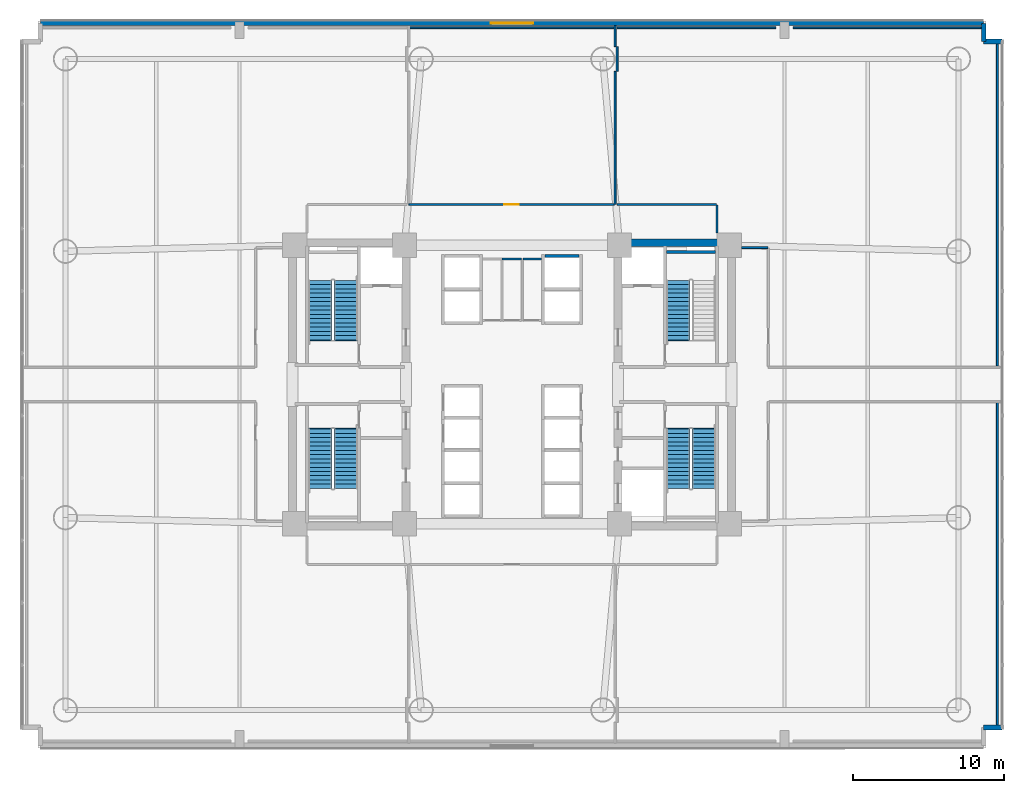
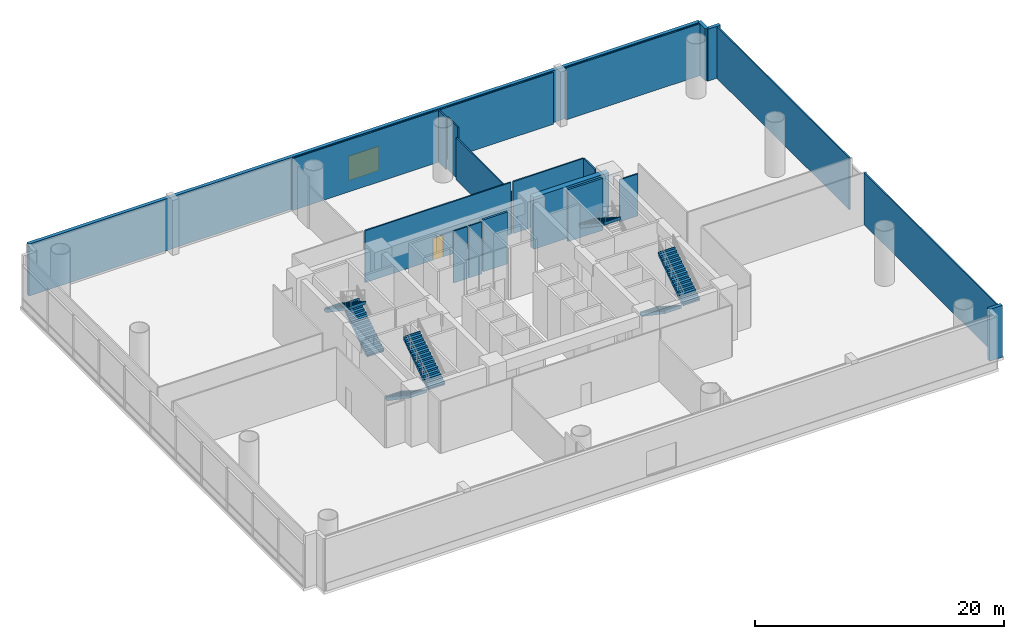
# One storey, part 10 of 15: 21 walls, 7 stair flights, 1 door, 1 window, 2 openings, 4 elements without a shape of their own.
"""IFC4 building model written with IfcOpenShell, lengths in metres."""

from ifc_helpers import new_model, si_unit, direction, frame, frame_2d, origin, place, context, subcontext, project, spatial, polyline, rectangle, outline, extrude, source, transform, mapped, material, layer, layer_set, type_object, element, fill, aggregate, save


model = new_model("IFC4")

# Units and contexts
model_context = context("Model", 3, precision=1e-05, world=origin(), true_north=direction((0.0, 1.0)))
body_context = subcontext(model_context, "Body", "Model", "MODEL_VIEW")
ifc_project = project(units=[si_unit("LENGTHUNIT", "METRE"), si_unit("AREAUNIT", "SQUARE_METRE"), si_unit("VOLUMEUNIT", "CUBIC_METRE"), si_unit("PLANEANGLEUNIT", "RADIAN"), si_unit("MASSUNIT", "GRAM", prefix="KILO")], contexts=[model_context])

# Site, building, storey
site_placement = place(None, origin())
site = spatial("IfcSite", under=ifc_project, at=site_placement, CompositionType="ELEMENT")
building_placement = place(site_placement, origin())
building = spatial("IfcBuilding", under=site, at=building_placement, Name="Zahravan Cultural Tower", CompositionType="ELEMENT")
storey_placement = place(building_placement, frame((0.0, 0.0, 7.199951171875)))
storey = spatial("IfcBuildingStorey", under=building, at=storey_placement, Name="L01", CompositionType="ELEMENT", Elevation=7.199951171875)

# Wall, opening, window
ifc_material_1 = material(Name="Precast concrete C40/50", Category="concrete")
ifc_layer_1 = layer(ifc_material_1, 0.320068359375)
ifc_layer_set_1 = layer_set([ifc_layer_1], Name="Precast concrete C40/50")
wall_type_1 = type_object("IfcWallType", Name="EW-TC-320", PredefinedType="SOLIDWALL", material=ifc_layer_set_1)
wall_1_placement = place(storey_placement, frame((4.840087890625, 50.860107421875, 0.0), z_axis=(0.0, 0.0, 1.0), x_axis=(1.0, 0.0, 0.0)))
wall_1 = element("IfcWall", 1, at=wall_1_placement, inside=storey, type_object=wall_type_1, Name="L01 Exterior Masonry Frame Wall 08", PredefinedType="SOLIDWALL", context=body_context, shape_type="SweptSolid", body=[
    extrude(rectangle(XDim=62.31982421875, YDim=0.320068359375, at=frame_2d((31.159912109375, 0.0))), origin(), (0.0, 0.0, 1.0), 5.10009765625),
])
opening_1_placement = place(wall_1_placement, frame((29.760009765625, 0.0, 0.85009765625)))
opening_1 = element("IfcOpeningElement", 2, at=opening_1_placement, cuts=wall_1, Name="Opening WN-04", PredefinedType="OPENING", context=body_context, shape_type="SweptSolid", body=[
    extrude(rectangle(XDim=2.800048828125, YDim=2.39990234375, at=frame_2d((1.39990234375, 1.199951171875))), frame((0.0, 0.169921875, 0.0), z_axis=(0.0, -1.0, 0.0), x_axis=(1.0, 0.0, 0.0)), (0.0, 0.0, 1.0), 0.340087890625),
])
ifc_material_2 = material(Name="Low-E solar-control double glazing", Category="glass")
window_type = type_object("IfcWindowType", Name="WN-POD-2800X2400", PartitioningType="TRIPLE_PANEL_VERTICAL", PredefinedType="WINDOW", material=ifc_material_2)
shared_shape_1 = source(origin(), body_context, "Body", "SweptSolid", [
    extrude(rectangle(XDim=2.800048828125, YDim=2.39990234375, at=frame_2d((1.39990234375, 1.199951171875))), frame((0.0, 0.030029296875, 0.0), z_axis=(0.0, -1.0, 0.0), x_axis=(1.0, 0.0, 0.0)), (0.0, 0.0, 1.0), 0.06005859375),
])
window_placement = place(opening_1_placement, origin())
window = element("IfcWindow", 3, at=window_placement, inside=storey, type_object=window_type, Name="L01 Recessed Solar Window 02", OverallHeight=2.39990234375, OverallWidth=2.800048828125, PartitioningType="TRIPLE_PANEL_VERTICAL", PredefinedType="WINDOW", context=body_context, shape_type="MappedRepresentation", body=[
    mapped(shared_shape_1, transform((0.0, 0.0, 0.0), x_axis=(1.0, 0.0, 0.0), y_axis=(0.0, 1.0, 0.0), z_axis=(0.0, 0.0, 1.0), scale=1.0)),
])
fill(opening_1, window)

# Wall, opening, door
ifc_material_3 = material(Name="Gypsum plasterboard partition")
ifc_layer_2 = layer(ifc_material_3, 0.125)
ifc_layer_set_2 = layer_set([ifc_layer_2], Name="Gypsum plasterboard partition")
wall_type_2 = type_object("IfcWallType", Name="W-PART-125", PredefinedType="PARTITIONING", material=ifc_layer_set_2)
wall_2_placement = place(storey_placement, frame((42.742431640625, 38.889892578125, 0.0), z_axis=(0.0, 0.0, 1.0), x_axis=(-1.0, 0.0, 0.0)))
wall_2 = element("IfcWall", 4, at=wall_2_placement, inside=storey, type_object=wall_type_2, Name="L01 Interior Wall 083", PredefinedType="PARTITIONING", context=body_context, shape_type="SweptSolid", body=[
    extrude(rectangle(XDim=13.552490234375, YDim=0.125, at=frame_2d((6.7763671875, 0.0))), origin(), (0.0, 0.0, 1.0), 5.10009765625),
])
opening_2_placement = place(wall_2_placement, frame((6.30126953125, 0.0, 0.0)))
opening_2 = element("IfcOpeningElement", 5, at=opening_2_placement, cuts=wall_2, Name="Opening D-L01-19", PredefinedType="OPENING", context=body_context, shape_type="SweptSolid", body=[
    extrude(rectangle(XDim=0.949951171875, YDim=2.14990234375, at=frame_2d((0.47509765625, 1.074951171875))), frame((0.0, 0.072509765625, 0.0), z_axis=(0.0, -1.0, 0.0), x_axis=(1.0, 0.0, 0.0)), (0.0, 0.0, 1.0), 0.14501953125),
])
ifc_material_4 = material(Name="Anodised bronze-aluminium mullion", Category="aluminium")
door_type = type_object("IfcDoorType", Name="DR-ROOM-950", OperationType="NOTDEFINED", PredefinedType="DOOR", material=ifc_material_4)
shared_shape_2 = source(origin(), body_context, "Body", "SweptSolid", [
    extrude(rectangle(XDim=0.949951171875, YDim=2.14990234375, at=frame_2d((0.47509765625, 1.074951171875))), frame((0.0, 0.02490234375, 0.0), z_axis=(0.0, -1.0, 0.0), x_axis=(1.0, 0.0, 0.0)), (0.0, 0.0, 1.0), 0.050048828125),
])
door_placement = place(opening_2_placement, origin())
door = element("IfcDoor", 6, at=door_placement, inside=storey, type_object=door_type, Name="L01 Door D-L01-19", OperationType="SINGLE_SWING_LEFT", OverallHeight=2.14990234375, OverallWidth=0.949951171875, PredefinedType="DOOR", context=body_context, shape_type="MappedRepresentation", body=[
    mapped(shared_shape_2, transform((0.0, 0.0, 0.0), x_axis=(1.0, 0.0, 0.0), y_axis=(0.0, 1.0, 0.0), z_axis=(0.0, 0.0, 1.0), scale=1.0)),
])
fill(opening_2, door)

# Walls
ifc_material_5 = material(Name="Concrete C60/75", Category="concrete")
ifc_layer_3 = layer(ifc_material_5, 0.5)
ifc_layer_set_3 = layer_set([ifc_layer_3], Name="Concrete C60/75")
wall_type_3 = type_object("IfcWallType", Name="CW-SHEAR-500-C60", PredefinedType="SHEAR", material=ifc_layer_set_3)
shared_shape_3 = source(origin(), body_context, "Body", "SweptSolid", [
    extrude(rectangle(XDim=7.0, YDim=0.5, at=frame_2d((3.5, 0.0))), origin(), (0.0, 0.0, 1.0), 5.10009765625),
])
wall_3_placement = place(storey_placement, frame((43.25, 36.35009765625, 0.0), z_axis=(0.0, 0.0, 1.0), x_axis=(1.0, 0.0, 0.0)))
element("IfcWall", 7, at=wall_3_placement, inside=storey, type_object=wall_type_3, Name="L01 Core Shear Wall CW-E-N-L01", PredefinedType="SHEAR", context=body_context, shape_type="MappedRepresentation", body=[
    mapped(shared_shape_3, transform((0.0, 0.0, 0.0), x_axis=(1.0, 0.0, 0.0), y_axis=(0.0, 1.0, 0.0), z_axis=(0.0, 0.0, 1.0), scale=1.0)),
])
shared_shape_4 = source(origin(), body_context, "Body", "SweptSolid", [
    extrude(rectangle(XDim=1.2001953125, YDim=0.320068359375, at=frame_2d((0.60009765625, 0.0))), origin(), (0.0, 0.0, 1.0), 5.10009765625),
])
for number, where, z_axis, x_axis, name in (
    (8, (68.360107421875, 4.340087890625, 0.0), (0.0, 0.0, 1.0), (-1.0, 0.0, 0.0), "L01 Exterior Masonry Frame Wall 01"),
    (9, (67.159912109375, 50.860107421875, 0.0), (0.0, 0.0, 1.0), (0.0, -1.0, 0.0), "L01 Exterior Masonry Frame Wall 09"),
    (10, (67.159912109375, 49.659912109375, 0.0), (0.0, 0.0, 1.0), (1.0, 0.0, 0.0), "L01 Exterior Masonry Frame Wall 10"),
):
    element("IfcWall", number, at=place(storey_placement, frame(where, z_axis=z_axis, x_axis=x_axis)), inside=storey, type_object=wall_type_1, Name=name, PredefinedType="SOLIDWALL", context=body_context, shape_type="MappedRepresentation", body=[
        mapped(shared_shape_4, transform((0.0, 0.0, 0.0), x_axis=(1.0, 0.0, 0.0), y_axis=(0.0, 1.0, 0.0), z_axis=(0.0, 0.0, 1.0), scale=1.0)),
    ])
ifc_material_6 = material(Name="Concrete C45/55", Category="concrete")
ifc_layer_4 = layer(ifc_material_6, 0.199951171875)
ifc_layer_set_4 = layer_set([ifc_layer_4], Name="Concrete C45/55")
wall_type_4 = type_object("IfcWallType", Name="W-SHAFT-200", PredefinedType="SOLIDWALL", material=ifc_layer_set_4)
shared_shape_5 = source(origin(), body_context, "Body", "SweptSolid", [
    extrude(rectangle(XDim=3.25, YDim=0.199951171875, at=frame_2d((1.625, 0.0))), origin(), (0.0, 0.0, 1.0), 5.10009765625),
])
wall_4_placement = place(storey_placement, frame((46.199951171875, 35.75, 0.0), z_axis=(0.0, 0.0, 1.0), x_axis=(1.0, 0.0, 0.0)))
element("IfcWall", 11, at=wall_4_placement, inside=storey, type_object=wall_type_4, Name="L01 Interior Wall 018", PredefinedType="SOLIDWALL", context=body_context, shape_type="MappedRepresentation", body=[
    mapped(shared_shape_5, transform((0.0, 0.0, 0.0), x_axis=(1.0, 0.0, 0.0), y_axis=(0.0, 1.0, 0.0), z_axis=(0.0, 0.0, 1.0), scale=1.0)),
])
shared_shape_6 = source(origin(), body_context, "Body", "SweptSolid", [
    extrude(rectangle(XDim=2.260009765625, YDim=0.199951171875, at=frame_2d((1.1298828125, 0.0))), origin(), (0.0, 0.0, 1.0), 5.10009765625),
])
wall_5_placement = place(storey_placement, frame((38.169921875, 35.5, 0.0), z_axis=(0.0, 0.0, 1.0), x_axis=(1.0, 0.0, 0.0)))
element("IfcWall", 12, at=wall_5_placement, inside=storey, type_object=wall_type_4, Name="L01 Interior Wall 036", PredefinedType="SOLIDWALL", context=body_context, shape_type="MappedRepresentation", body=[
    mapped(shared_shape_6, transform((0.0, 0.0, 0.0), x_axis=(1.0, 0.0, 0.0), y_axis=(0.0, 1.0, 0.0), z_axis=(0.0, 0.0, 1.0), scale=1.0)),
])
ifc_layer_5 = layer(ifc_material_3, 0.114990234375)
ifc_layer_set_5 = layer_set([ifc_layer_5], Name="Gypsum plasterboard partition")
wall_type_5 = type_object("IfcWallType", Name="W-WC-115", PredefinedType="PARTITIONING", material=ifc_layer_set_5)
shared_shape_7 = source(origin(), body_context, "Body", "SweptSolid", [
    extrude(rectangle(XDim=1.20263671875, YDim=0.114990234375, at=frame_2d((0.601318359375, 0.0))), origin(), (0.0, 0.0, 1.0), 5.10009765625),
])
wall_6_placement = place(storey_placement, frame((36.742431640625, 35.280029296875, 0.0), z_axis=(0.0, 0.0, 1.0), x_axis=(1.0, 0.0, 0.0)))
element("IfcWall", 13, at=wall_6_placement, inside=storey, type_object=wall_type_5, Name="L01 Interior Wall 067", PredefinedType="PARTITIONING", context=body_context, shape_type="MappedRepresentation", body=[
    mapped(shared_shape_7, transform((0.0, 0.0, 0.0), x_axis=(1.0, 0.0, 0.0), y_axis=(0.0, 1.0, 0.0), z_axis=(0.0, 0.0, 1.0), scale=1.0)),
])
shared_shape_8 = source(origin(), body_context, "Body", "SweptSolid", [
    extrude(rectangle(XDim=1.27734375, YDim=0.114990234375, at=frame_2d((0.638671875, 0.0))), origin(), (0.0, 0.0, 1.0), 5.10009765625),
])
wall_7_placement = place(storey_placement, frame((35.340087890625, 35.280029296875, 0.0), z_axis=(0.0, 0.0, 1.0), x_axis=(1.0, 0.0, 0.0)))
element("IfcWall", 14, at=wall_7_placement, inside=storey, type_object=wall_type_5, Name="L01 Interior Wall 072", PredefinedType="PARTITIONING", context=body_context, shape_type="MappedRepresentation", body=[
    mapped(shared_shape_8, transform((0.0, 0.0, 0.0), x_axis=(1.0, 0.0, 0.0), y_axis=(0.0, 1.0, 0.0), z_axis=(0.0, 0.0, 1.0), scale=1.0)),
])
shared_shape_9 = source(origin(), body_context, "Body", "SweptSolid", [
    extrude(rectangle(XDim=13.6201171875, YDim=0.125, at=frame_2d((6.81005859375, 0.0))), origin(), (0.0, 0.0, 1.0), 5.10009765625),
])
wall_8_placement = place(storey_placement, frame((29.18994140625, 50.56005859375, 0.0), z_axis=(0.0, 0.0, 1.0), x_axis=(1.0, 0.0, 0.0)))
element("IfcWall", 15, at=wall_8_placement, inside=storey, type_object=wall_type_2, Name="L01 Interior Wall 080", PredefinedType="PARTITIONING", context=body_context, shape_type="MappedRepresentation", body=[
    mapped(shared_shape_9, transform((0.0, 0.0, 0.0), x_axis=(1.0, 0.0, 0.0), y_axis=(0.0, 1.0, 0.0), z_axis=(0.0, 0.0, 1.0), scale=1.0)),
])
shared_shape_10 = source(origin(), body_context, "Body", "SweptSolid", [
    extrude(rectangle(XDim=1.3798828125, YDim=0.125, at=frame_2d((0.68994140625, 0.0))), origin(), (0.0, 0.0, 1.0), 5.10009765625),
])
wall_9_placement = place(storey_placement, frame((42.81005859375, 50.699951171875, 0.0), z_axis=(0.0, 0.0, 1.0), x_axis=(0.0, -1.0, 0.0)))
element("IfcWall", 16, at=wall_9_placement, inside=storey, type_object=wall_type_2, Name="L01 Interior Wall 081", PredefinedType="PARTITIONING", context=body_context, shape_type="MappedRepresentation", body=[
    mapped(shared_shape_10, transform((0.0, 0.0, 0.0), x_axis=(1.0, 0.0, 0.0), y_axis=(0.0, 1.0, 0.0), z_axis=(0.0, 0.0, 1.0), scale=1.0)),
])
shared_shape_11 = source(origin(), body_context, "Body", "SweptSolid", [
    extrude(rectangle(XDim=8.7900390625, YDim=0.125, at=frame_2d((4.39501953125, 0.0))), origin(), (0.0, 0.0, 1.0), 4.126953125),
])
wall_10_placement = place(storey_placement, frame((42.81005859375, 47.679931640625, 0.0), z_axis=(0.0, 0.0, 1.0), x_axis=(0.0, -1.0, 0.0)))
element("IfcWall", 17, at=wall_10_placement, inside=storey, type_object=wall_type_2, Name="L01 Interior Wall 082", PredefinedType="PARTITIONING", context=body_context, shape_type="MappedRepresentation", body=[
    mapped(shared_shape_11, transform((0.0, 0.0, 0.0), x_axis=(1.0, 0.0, 0.0), y_axis=(0.0, 1.0, 0.0), z_axis=(0.0, 0.0, 1.0), scale=1.0)),
])
shared_shape_12 = source(origin(), body_context, "Body", "SweptSolid", [
    extrude(rectangle(XDim=10.489990234375, YDim=0.125, at=frame_2d((5.2451171875, 0.0))), origin(), (0.0, 0.0, 1.0), 5.10009765625),
])
wall_11_placement = place(storey_placement, frame((42.93994140625, 50.56005859375, 0.0), z_axis=(0.0, 0.0, 1.0), x_axis=(1.0, 0.0, 0.0)))
element("IfcWall", 18, at=wall_11_placement, inside=storey, type_object=wall_type_2, Name="L01 Interior Wall 119", PredefinedType="PARTITIONING", context=body_context, shape_type="MappedRepresentation", body=[
    mapped(shared_shape_12, transform((0.0, 0.0, 0.0), x_axis=(1.0, 0.0, 0.0), y_axis=(0.0, 1.0, 0.0), z_axis=(0.0, 0.0, 1.0), scale=1.0)),
])
shared_shape_13 = source(origin(), body_context, "Body", "SweptSolid", [
    extrude(rectangle(XDim=12.425048828125, YDim=0.125, at=frame_2d((6.21240234375, 0.0))), origin(), (0.0, 0.0, 1.0), 5.10009765625),
])
wall_12_placement = place(storey_placement, frame((54.570068359375, 50.56005859375, 0.0), z_axis=(0.0, 0.0, 1.0), x_axis=(1.0, 0.0, 0.0)))
element("IfcWall", 19, at=wall_12_placement, inside=storey, type_object=wall_type_2, Name="L01 Interior Wall 120", PredefinedType="PARTITIONING", context=body_context, shape_type="MappedRepresentation", body=[
    mapped(shared_shape_13, transform((0.0, 0.0, 0.0), x_axis=(1.0, 0.0, 0.0), y_axis=(0.0, 1.0, 0.0), z_axis=(0.0, 0.0, 1.0), scale=1.0)),
])
shared_shape_14 = source(origin(), body_context, "Body", "SweptSolid", [
    extrude(rectangle(XDim=21.355224609375, YDim=0.125, at=frame_2d((10.677734375, 0.0))), origin(), (0.0, 0.0, 1.0), 5.10009765625),
])
wall_13_placement = place(storey_placement, frame((68.06005859375, 25.860107421875, 0.0), z_axis=(0.0, 0.0, 1.0), x_axis=(0.0, -1.0, 0.0)))
element("IfcWall", 20, at=wall_13_placement, inside=storey, type_object=wall_type_2, Name="L01 Interior Wall 104", PredefinedType="PARTITIONING", context=body_context, shape_type="MappedRepresentation", body=[
    mapped(shared_shape_14, transform((0.0, 0.0, 0.0), x_axis=(1.0, 0.0, 0.0), y_axis=(0.0, 1.0, 0.0), z_axis=(0.0, 0.0, 1.0), scale=1.0)),
])
shared_shape_15 = source(origin(), body_context, "Body", "SweptSolid", [
    extrude(rectangle(XDim=6.55419921875, YDim=0.125, at=frame_2d((3.277099609375, 0.0))), origin(), (0.0, 0.0, 1.0), 5.10009765625),
])
wall_14_placement = place(storey_placement, frame((49.494140625, 38.889892578125, 0.0), z_axis=(0.0, 0.0, 1.0), x_axis=(-1.0, 0.0, 0.0)))
element("IfcWall", 21, at=wall_14_placement, inside=storey, type_object=wall_type_2, Name="L01 Interior Wall 117", PredefinedType="PARTITIONING", context=body_context, shape_type="MappedRepresentation", body=[
    mapped(shared_shape_15, transform((0.0, 0.0, 0.0), x_axis=(1.0, 0.0, 0.0), y_axis=(0.0, 1.0, 0.0), z_axis=(0.0, 0.0, 1.0), scale=1.0)),
])
shared_shape_16 = source(origin(), body_context, "Body", "SweptSolid", [
    extrude(rectangle(XDim=1.64013671875, YDim=0.125, at=frame_2d((0.820068359375, 0.0))), origin(), (0.0, 0.0, 1.0), 5.10009765625),
])
wall_15_placement = place(storey_placement, frame((42.93994140625, 47.679931640625, 0.0), z_axis=(0.0, 0.0, 1.0), x_axis=(0.0, 1.0, 0.0)))
element("IfcWall", 22, at=wall_15_placement, inside=storey, type_object=wall_type_2, Name="L01 Interior Wall 118", PredefinedType="PARTITIONING", context=body_context, shape_type="MappedRepresentation", body=[
    mapped(shared_shape_16, transform((0.0, 0.0, 0.0), x_axis=(1.0, 0.0, 0.0), y_axis=(0.0, 1.0, 0.0), z_axis=(0.0, 0.0, 1.0), scale=1.0)),
])
shared_shape_17 = source(origin(), body_context, "Body", "SweptSolid", [
    extrude(rectangle(XDim=21.28759765625, YDim=0.125, at=frame_2d((10.643798828125, 0.0))), origin(), (0.0, 0.0, 1.0), 5.10009765625),
])
wall_16_placement = place(storey_placement, frame((68.06005859375, 49.4951171875, 0.0), z_axis=(0.0, 0.0, 1.0), x_axis=(0.0, -1.0, 0.0)))
element("IfcWall", 23, at=wall_16_placement, inside=storey, type_object=wall_type_2, Name="L01 Interior Wall 121", PredefinedType="PARTITIONING", context=body_context, shape_type="MappedRepresentation", body=[
    mapped(shared_shape_17, transform((0.0, 0.0, 0.0), x_axis=(1.0, 0.0, 0.0), y_axis=(0.0, 1.0, 0.0), z_axis=(0.0, 0.0, 1.0), scale=1.0)),
])
shared_shape_18 = source(origin(), body_context, "Body", "SweptSolid", [
    extrude(rectangle(XDim=1.832275390625, YDim=0.125, at=frame_2d((0.916015625, 0.0))), origin(), (0.0, 0.0, 1.0), 5.10009765625),
])
wall_17_placement = place(storey_placement, frame((49.539794921875, 37.02001953125, 0.0), z_axis=(0.0, 0.0, 1.0), x_axis=(-0.000133244502, 0.999999991123, 0.0)))
element("IfcWall", 24, at=wall_17_placement, inside=storey, type_object=wall_type_2, Name="L01 Interior Wall 116", PredefinedType="PARTITIONING", context=body_context, shape_type="MappedRepresentation", body=[
    mapped(shared_shape_18, transform((0.0, 0.0, 0.0), x_axis=(1.0, 0.0, 0.0), y_axis=(0.0, 1.0, 0.0), z_axis=(0.0, 0.0, 1.0), scale=1.0)),
])
shared_shape_19 = source(origin(), body_context, "Body", "SweptSolid", [
    extrude(rectangle(XDim=1.7255859375, YDim=0.125, at=frame_2d((0.86279296875, 0.0))), origin(), (0.0, 0.0, 1.0), 4.126953125),
])
wall_18_placement = place(storey_placement, frame((52.8955078125, 36.0400390625, 0.0), z_axis=(0.0, 0.0, 1.0), x_axis=(-1.0, 0.0, 0.0)))
element("IfcWall", 25, at=wall_18_placement, inside=storey, type_object=wall_type_2, Name="L01 Interior Wall 115", PredefinedType="PARTITIONING", context=body_context, shape_type="MappedRepresentation", body=[
    mapped(shared_shape_19, transform((0.0, 0.0, 0.0), x_axis=(1.0, 0.0, 0.0), y_axis=(0.0, 1.0, 0.0), z_axis=(0.0, 0.0, 1.0), scale=1.0)),
])

# Stair, stair flights
stair_type = type_object("IfcStairType", Name="STR-DL-1550-540", PredefinedType="HALF_TURN_STAIR", material=ifc_material_6)
stair_1_placement = place(storey_placement, origin())
stair_1 = element("IfcStair", 26, at=stair_1_placement, inside=storey, type_object=stair_type, Name="L01 West Core North Exit Stair ST-W1", PredefinedType="HALF_TURN_STAIR")
stair_flight_type = type_object("IfcStairFlightType", Name="FLG-DL-1550-540", PredefinedType="STRAIGHT", material=ifc_material_6)
stair_flight_1_placement = place(storey_placement, frame((25.02490234375, 29.949951171875, 0.0), z_axis=(0.0, 0.0, 1.0), x_axis=(0.0, 1.0, 0.0)))
stair_flight_1 = element("IfcStairFlight", 27, at=stair_flight_1_placement, type_object=stair_flight_type, Name="ST-W1 flight 1", NumberOfRisers=15, NumberOfTreads=14, PredefinedType="STRAIGHT", RiserHeight=0.18, TreadLength=0.28, context=body_context, shape_type="SweptSolid", body=[
    extrude(outline(polyline([(-0.06494140625, -0.139892578125), (-0.06494140625, 0.0), (0.0, 0.0), (0.0, 0.179931640625), (0.280029296875, 0.179931640625), (0.280029296875, 0.360107421875), (0.56005859375, 0.360107421875), (0.56005859375, 0.5400390625), (0.840087890625, 0.5400390625), (0.840087890625, 0.719970703125), (1.1201171875, 0.719970703125), (1.1201171875, 0.89990234375), (1.39990234375, 0.89990234375), (1.39990234375, 1.080078125), (1.679931640625, 1.080078125), (1.679931640625, 1.260009765625), (1.9599609375, 1.260009765625), (1.9599609375, 1.43994140625), (2.239990234375, 1.43994140625), (2.239990234375, 1.6201171875), (2.52001953125, 1.6201171875), (2.52001953125, 1.800048828125), (2.800048828125, 1.800048828125), (2.800048828125, 1.97998046875), (3.080078125, 1.97998046875), (3.080078125, 2.159912109375), (3.360107421875, 2.159912109375), (3.360107421875, 2.340087890625), (3.639892578125, 2.340087890625), (3.639892578125, 2.52001953125), (3.919921875, 2.52001953125), (3.919921875, 2.699951171875), (3.985107421875, 2.699951171875), (3.985107421875, 2.550048828125), (3.919921875, 2.341796875), (0.277099609375, -0.139892578125), (-0.06494140625, -0.139892578125)])), frame((0.0, 0.77490234375, 0.0), z_axis=(0.0, -1.0, 0.0), x_axis=(1.0, 0.0, 0.0)), (0.0, 0.0, 1.0), 1.550048828125),
])
stair_flight_2_placement = place(storey_placement, frame((23.324951171875, 33.8701171875, 2.699951171875), z_axis=(0.0, 0.0, 1.0), x_axis=(0.0, -1.0, 0.0)))
stair_flight_2 = element("IfcStairFlight", 28, at=stair_flight_2_placement, type_object=stair_flight_type, Name="ST-W1 flight 2", NumberOfRisers=15, NumberOfTreads=14, PredefinedType="STRAIGHT", RiserHeight=0.18, TreadLength=0.28, context=body_context, shape_type="SweptSolid", body=[
    extrude(outline(polyline([(-0.06494140625, -0.139892578125), (-0.06494140625, 0.0), (0.0, 0.0), (0.0, 0.179931640625), (0.280029296875, 0.179931640625), (0.280029296875, 0.360107421875), (0.56005859375, 0.360107421875), (0.56005859375, 0.5400390625), (0.840087890625, 0.5400390625), (0.840087890625, 0.719970703125), (1.1201171875, 0.719970703125), (1.1201171875, 0.89990234375), (1.39990234375, 0.89990234375), (1.39990234375, 1.080078125), (1.679931640625, 1.080078125), (1.679931640625, 1.260009765625), (1.9599609375, 1.260009765625), (1.9599609375, 1.43994140625), (2.239990234375, 1.43994140625), (2.239990234375, 1.6201171875), (2.52001953125, 1.6201171875), (2.52001953125, 1.800048828125), (2.800048828125, 1.800048828125), (2.800048828125, 1.97998046875), (3.080078125, 1.97998046875), (3.080078125, 2.159912109375), (3.360107421875, 2.159912109375), (3.360107421875, 2.340087890625), (3.639892578125, 2.340087890625), (3.639892578125, 2.52001953125), (3.919921875, 2.52001953125), (3.919921875, 2.699951171875), (3.985107421875, 2.699951171875), (3.985107421875, 2.550048828125), (3.919921875, 2.341796875), (0.277099609375, -0.139892578125), (-0.06494140625, -0.139892578125)])), frame((0.0, 0.77490234375, 0.0), z_axis=(0.0, -1.0, 0.0), x_axis=(1.0, 0.0, 0.0)), (0.0, 0.0, 1.0), 1.550048828125),
])
aggregate(stair_1, [stair_flight_1, stair_flight_2])

stair_2_placement = place(storey_placement, origin())
stair_2 = element("IfcStair", 29, at=stair_2_placement, inside=storey, type_object=stair_type, Name="L01 West Core South Exit Stair ST-W2", PredefinedType="HALF_TURN_STAIR")
stair_flight_3_placement = place(storey_placement, frame((23.324951171875, 24.050048828125, 0.0), z_axis=(0.0, 0.0, 1.0), x_axis=(0.0, -1.0, 0.0)))
stair_flight_3 = element("IfcStairFlight", 30, at=stair_flight_3_placement, type_object=stair_flight_type, Name="ST-W2 flight 1", NumberOfRisers=15, NumberOfTreads=14, PredefinedType="STRAIGHT", RiserHeight=0.18, TreadLength=0.28, context=body_context, shape_type="SweptSolid", body=[
    extrude(outline(polyline([(-0.06494140625, -0.139892578125), (-0.06494140625, 0.0), (0.0, 0.0), (0.0, 0.179931640625), (0.280029296875, 0.179931640625), (0.280029296875, 0.360107421875), (0.56005859375, 0.360107421875), (0.56005859375, 0.5400390625), (0.840087890625, 0.5400390625), (0.840087890625, 0.719970703125), (1.1201171875, 0.719970703125), (1.1201171875, 0.89990234375), (1.39990234375, 0.89990234375), (1.39990234375, 1.080078125), (1.679931640625, 1.080078125), (1.679931640625, 1.260009765625), (1.9599609375, 1.260009765625), (1.9599609375, 1.43994140625), (2.239990234375, 1.43994140625), (2.239990234375, 1.6201171875), (2.52001953125, 1.6201171875), (2.52001953125, 1.800048828125), (2.800048828125, 1.800048828125), (2.800048828125, 1.97998046875), (3.080078125, 1.97998046875), (3.080078125, 2.159912109375), (3.360107421875, 2.159912109375), (3.360107421875, 2.340087890625), (3.639892578125, 2.340087890625), (3.639892578125, 2.52001953125), (3.919921875, 2.52001953125), (3.919921875, 2.699951171875), (3.985107421875, 2.699951171875), (3.985107421875, 2.550048828125), (3.919921875, 2.341796875), (0.277099609375, -0.139892578125), (-0.06494140625, -0.139892578125)])), frame((0.0, 0.77490234375, 0.0), z_axis=(0.0, -1.0, 0.0), x_axis=(1.0, 0.0, 0.0)), (0.0, 0.0, 1.0), 1.550048828125),
])
stair_flight_4_placement = place(storey_placement, frame((25.02490234375, 20.1298828125, 2.699951171875), z_axis=(0.0, 0.0, 1.0), x_axis=(0.0, 1.0, 0.0)))
stair_flight_4 = element("IfcStairFlight", 31, at=stair_flight_4_placement, type_object=stair_flight_type, Name="ST-W2 flight 2", NumberOfRisers=15, NumberOfTreads=14, PredefinedType="STRAIGHT", RiserHeight=0.18, TreadLength=0.28, context=body_context, shape_type="SweptSolid", body=[
    extrude(outline(polyline([(-0.06494140625, -0.139892578125), (-0.06494140625, 0.0), (0.0, 0.0), (0.0, 0.179931640625), (0.280029296875, 0.179931640625), (0.280029296875, 0.360107421875), (0.56005859375, 0.360107421875), (0.56005859375, 0.5400390625), (0.840087890625, 0.5400390625), (0.840087890625, 0.719970703125), (1.1201171875, 0.719970703125), (1.1201171875, 0.89990234375), (1.39990234375, 0.89990234375), (1.39990234375, 1.080078125), (1.679931640625, 1.080078125), (1.679931640625, 1.260009765625), (1.9599609375, 1.260009765625), (1.9599609375, 1.43994140625), (2.239990234375, 1.43994140625), (2.239990234375, 1.6201171875), (2.52001953125, 1.6201171875), (2.52001953125, 1.800048828125), (2.800048828125, 1.800048828125), (2.800048828125, 1.97998046875), (3.080078125, 1.97998046875), (3.080078125, 2.159912109375), (3.360107421875, 2.159912109375), (3.360107421875, 2.340087890625), (3.639892578125, 2.340087890625), (3.639892578125, 2.52001953125), (3.919921875, 2.52001953125), (3.919921875, 2.699951171875), (3.985107421875, 2.699951171875), (3.985107421875, 2.550048828125), (3.919921875, 2.341796875), (0.277099609375, -0.139892578125), (-0.06494140625, -0.139892578125)])), frame((0.0, 0.77490234375, 0.0), z_axis=(0.0, -1.0, 0.0), x_axis=(1.0, 0.0, 0.0)), (0.0, 0.0, 1.0), 1.550048828125),
])
aggregate(stair_2, [stair_flight_3, stair_flight_4])

# Stair, stair flight
stair_3_placement = place(storey_placement, origin())
stair_3 = element("IfcStair", 32, at=stair_3_placement, inside=storey, type_object=stair_type, Name="L01 East Core North Exit Stair ST-E1", PredefinedType="HALF_TURN_STAIR")
stair_flight_5_placement = place(storey_placement, frame((46.97509765625, 33.8701171875, 2.699951171875), z_axis=(0.0, 0.0, 1.0), x_axis=(0.0, -1.0, 0.0)))
stair_flight_5 = element("IfcStairFlight", 33, at=stair_flight_5_placement, type_object=stair_flight_type, Name="ST-E1 flight 2", NumberOfRisers=15, NumberOfTreads=14, PredefinedType="STRAIGHT", RiserHeight=0.18, TreadLength=0.28, context=body_context, shape_type="SweptSolid", body=[
    extrude(outline(polyline([(-0.06494140625, -0.139892578125), (-0.06494140625, 0.0), (0.0, 0.0), (0.0, 0.179931640625), (0.280029296875, 0.179931640625), (0.280029296875, 0.360107421875), (0.56005859375, 0.360107421875), (0.56005859375, 0.5400390625), (0.840087890625, 0.5400390625), (0.840087890625, 0.719970703125), (1.1201171875, 0.719970703125), (1.1201171875, 0.89990234375), (1.39990234375, 0.89990234375), (1.39990234375, 1.080078125), (1.679931640625, 1.080078125), (1.679931640625, 1.260009765625), (1.9599609375, 1.260009765625), (1.9599609375, 1.43994140625), (2.239990234375, 1.43994140625), (2.239990234375, 1.6201171875), (2.52001953125, 1.6201171875), (2.52001953125, 1.800048828125), (2.800048828125, 1.800048828125), (2.800048828125, 1.97998046875), (3.080078125, 1.97998046875), (3.080078125, 2.159912109375), (3.360107421875, 2.159912109375), (3.360107421875, 2.340087890625), (3.639892578125, 2.340087890625), (3.639892578125, 2.52001953125), (3.919921875, 2.52001953125), (3.919921875, 2.699951171875), (3.985107421875, 2.699951171875), (3.985107421875, 2.550048828125), (3.919921875, 2.341796875), (0.277099609375, -0.139892578125), (-0.06494140625, -0.139892578125)])), frame((0.0, 0.77490234375, 0.0), z_axis=(0.0, -1.0, 0.0), x_axis=(1.0, 0.0, 0.0)), (0.0, 0.0, 1.0), 1.550048828125),
])
aggregate(stair_3, [stair_flight_5])

# Stair, stair flights
stair_4_placement = place(storey_placement, origin())
stair_4 = element("IfcStair", 34, at=stair_4_placement, inside=storey, type_object=stair_type, Name="L01 East Core South Exit Stair ST-E2", PredefinedType="HALF_TURN_STAIR")
stair_flight_6_placement = place(storey_placement, frame((46.97509765625, 24.050048828125, 0.0), z_axis=(0.0, 0.0, 1.0), x_axis=(0.0, -1.0, 0.0)))
stair_flight_6 = element("IfcStairFlight", 35, at=stair_flight_6_placement, type_object=stair_flight_type, Name="ST-E2 flight 1", NumberOfRisers=15, NumberOfTreads=14, PredefinedType="STRAIGHT", RiserHeight=0.18, TreadLength=0.28, context=body_context, shape_type="SweptSolid", body=[
    extrude(outline(polyline([(-0.06494140625, -0.139892578125), (-0.06494140625, 0.0), (0.0, 0.0), (0.0, 0.179931640625), (0.280029296875, 0.179931640625), (0.280029296875, 0.360107421875), (0.56005859375, 0.360107421875), (0.56005859375, 0.5400390625), (0.840087890625, 0.5400390625), (0.840087890625, 0.719970703125), (1.1201171875, 0.719970703125), (1.1201171875, 0.89990234375), (1.39990234375, 0.89990234375), (1.39990234375, 1.080078125), (1.679931640625, 1.080078125), (1.679931640625, 1.260009765625), (1.9599609375, 1.260009765625), (1.9599609375, 1.43994140625), (2.239990234375, 1.43994140625), (2.239990234375, 1.6201171875), (2.52001953125, 1.6201171875), (2.52001953125, 1.800048828125), (2.800048828125, 1.800048828125), (2.800048828125, 1.97998046875), (3.080078125, 1.97998046875), (3.080078125, 2.159912109375), (3.360107421875, 2.159912109375), (3.360107421875, 2.340087890625), (3.639892578125, 2.340087890625), (3.639892578125, 2.52001953125), (3.919921875, 2.52001953125), (3.919921875, 2.699951171875), (3.985107421875, 2.699951171875), (3.985107421875, 2.550048828125), (3.919921875, 2.341796875), (0.277099609375, -0.139892578125), (-0.06494140625, -0.139892578125)])), frame((0.0, 0.77490234375, 0.0), z_axis=(0.0, -1.0, 0.0), x_axis=(1.0, 0.0, 0.0)), (0.0, 0.0, 1.0), 1.550048828125),
])
stair_flight_7_placement = place(storey_placement, frame((48.675048828125, 20.1298828125, 2.699951171875), z_axis=(0.0, 0.0, 1.0), x_axis=(0.0, 1.0, 0.0)))
stair_flight_7 = element("IfcStairFlight", 36, at=stair_flight_7_placement, type_object=stair_flight_type, Name="ST-E2 flight 2", NumberOfRisers=15, NumberOfTreads=14, PredefinedType="STRAIGHT", RiserHeight=0.18, TreadLength=0.28, context=body_context, shape_type="SweptSolid", body=[
    extrude(outline(polyline([(-0.06494140625, -0.139892578125), (-0.06494140625, 0.0), (0.0, 0.0), (0.0, 0.179931640625), (0.280029296875, 0.179931640625), (0.280029296875, 0.360107421875), (0.56005859375, 0.360107421875), (0.56005859375, 0.5400390625), (0.840087890625, 0.5400390625), (0.840087890625, 0.719970703125), (1.1201171875, 0.719970703125), (1.1201171875, 0.89990234375), (1.39990234375, 0.89990234375), (1.39990234375, 1.080078125), (1.679931640625, 1.080078125), (1.679931640625, 1.260009765625), (1.9599609375, 1.260009765625), (1.9599609375, 1.43994140625), (2.239990234375, 1.43994140625), (2.239990234375, 1.6201171875), (2.52001953125, 1.6201171875), (2.52001953125, 1.800048828125), (2.800048828125, 1.800048828125), (2.800048828125, 1.97998046875), (3.080078125, 1.97998046875), (3.080078125, 2.159912109375), (3.360107421875, 2.159912109375), (3.360107421875, 2.340087890625), (3.639892578125, 2.340087890625), (3.639892578125, 2.52001953125), (3.919921875, 2.52001953125), (3.919921875, 2.699951171875), (3.985107421875, 2.699951171875), (3.985107421875, 2.550048828125), (3.919921875, 2.341796875), (0.277099609375, -0.139892578125), (-0.06494140625, -0.139892578125)])), frame((0.0, 0.77490234375, 0.0), z_axis=(0.0, -1.0, 0.0), x_axis=(1.0, 0.0, 0.0)), (0.0, 0.0, 1.0), 1.550048828125),
])
aggregate(stair_4, [stair_flight_6, stair_flight_7])

save(model, "model.ifc")
